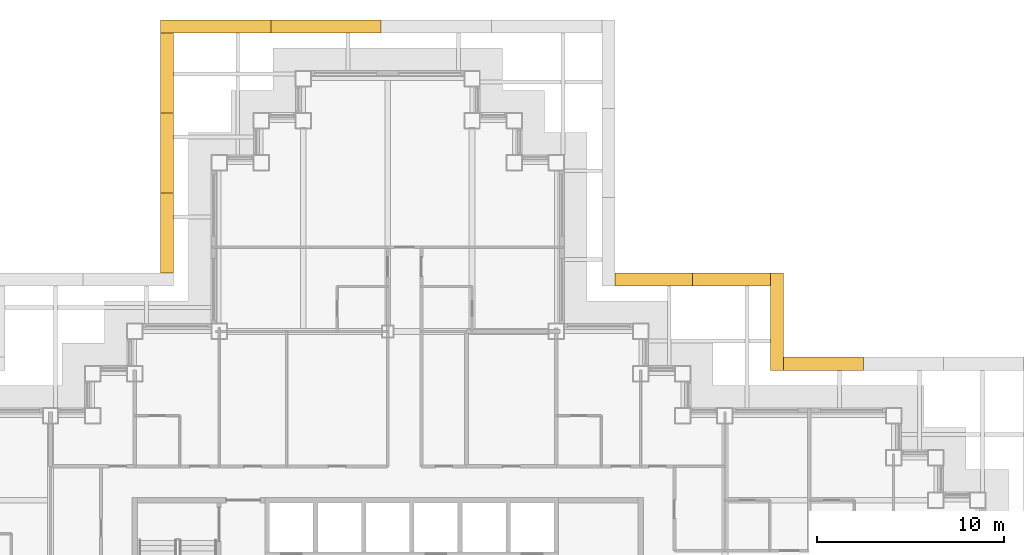
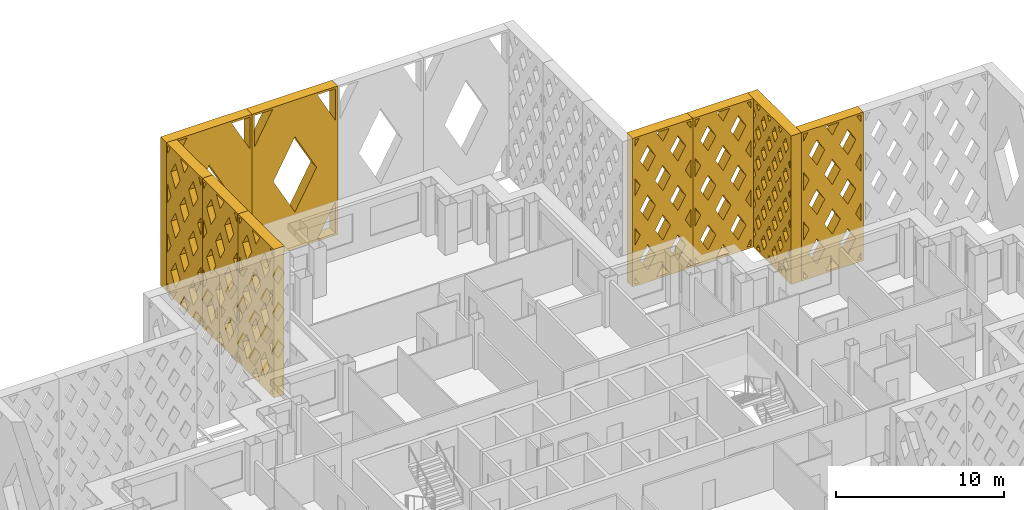
# One storey, part 20 of 21: 9 shading devices.
"""IFC4 building model written with IfcOpenShell, lengths in metres."""

from ifc_helpers import new_model, si_unit, direction, frame, origin, place, context, subcontext, project, spatial, polyline, outline, extrude, material, type_object, element, save


model = new_model("IFC4")

# Units and contexts
model_context = context("Model", 3, precision=1e-05, world=origin(), true_north=direction((0.0, 1.0)))
body_context = subcontext(model_context, "Body", "Model", "MODEL_VIEW")
ifc_project = project(units=[si_unit("LENGTHUNIT", "METRE"), si_unit("AREAUNIT", "SQUARE_METRE"), si_unit("VOLUMEUNIT", "CUBIC_METRE"), si_unit("PLANEANGLEUNIT", "RADIAN"), si_unit("MASSUNIT", "GRAM", prefix="KILO")], contexts=[model_context])

# Site, building, storey
site_placement = place(None, origin())
site = spatial("IfcSite", under=ifc_project, at=site_placement, CompositionType="ELEMENT")
building_placement = place(site_placement, origin())
building = spatial("IfcBuilding", under=site, at=building_placement, Name="Caravel Reach Hotel and Residences", CompositionType="ELEMENT")
storey_placement = place(building_placement, frame((0.0, 0.0, 129.60009765625)))
storey = spatial("IfcBuildingStorey", under=building, at=storey_placement, Name="L32", CompositionType="ELEMENT", Elevation=129.60009765625)

# Shading devices
ifc_material_1 = material(Name="Black powder-coated aluminium", Category="aluminium")
shading_device_type_1 = type_object("IfcShadingDeviceType", Name="Diamond lattice screen panel 4150 x 10800", PredefinedType="USERDEFINED", material=ifc_material_1)
shading_device_1_placement = place(storey_placement, frame((51.925048828125, 42.925048828125, 0.0), z_axis=(0.0, 1.0, 0.0), x_axis=(-1.0, 0.0, 0.0)))
element("IfcShadingDevice", 1, at=shading_device_1_placement, inside=storey, type_object=shading_device_type_1, Name="Lattice screen L32-L34 10.1", ObjectType="SCREEN", PredefinedType="USERDEFINED", context=body_context, shape_type="SweptSolid", body=[
    extrude(outline(polyline([(0.0, 0.0), (4.14990234375, 0.0), (4.14990234375, 10.800048828125), (0.0, 10.800048828125), (0.0, 0.0)]), holes=[polyline([(0.445556640625, 0.14990234375), (0.14990234375, 0.662841796875), (0.14990234375, 0.14990234375), (0.445556640625, 0.14990234375)]), polyline([(0.531982421875, 3.60009765625), (0.14990234375, 4.2626953125), (0.14990234375, 2.937255859375), (0.531982421875, 3.60009765625)]), polyline([(0.531982421875, 7.199951171875), (0.14990234375, 7.86279296875), (0.14990234375, 6.537353515625), (0.531982421875, 7.199951171875)]), polyline([(0.14990234375, 10.13720703125), (0.445556640625, 10.64990234375), (0.14990234375, 10.64990234375), (0.14990234375, 10.13720703125)]), polyline([(1.03759765625, 2.722900390625), (0.505615234375, 1.800048828125), (1.03759765625, 0.876953125), (1.569580078125, 1.800048828125), (1.03759765625, 2.722900390625)]), polyline([(1.03759765625, 6.322998046875), (0.505615234375, 5.39990234375), (1.03759765625, 4.47705078125), (1.569580078125, 5.39990234375), (1.03759765625, 6.322998046875)]), polyline([(1.03759765625, 9.9228515625), (0.505615234375, 9.0), (1.03759765625, 8.0771484375), (1.569580078125, 9.0), (1.03759765625, 9.9228515625)]), polyline([(2.074951171875, 0.9228515625), (1.62939453125, 0.14990234375), (2.5205078125, 0.14990234375), (2.074951171875, 0.9228515625)]), polyline([(2.074951171875, 4.52294921875), (1.54296875, 3.60009765625), (2.074951171875, 2.677001953125), (2.60693359375, 3.60009765625), (2.074951171875, 4.52294921875)]), polyline([(2.074951171875, 8.123046875), (1.54296875, 7.199951171875), (2.074951171875, 6.277099609375), (2.60693359375, 7.199951171875), (2.074951171875, 8.123046875)]), polyline([(2.074951171875, 9.876953125), (2.5205078125, 10.64990234375), (1.62939453125, 10.64990234375), (2.074951171875, 9.876953125)]), polyline([(3.112548828125, 2.722900390625), (2.58056640625, 1.800048828125), (3.112548828125, 0.876953125), (3.64453125, 1.800048828125), (3.112548828125, 2.722900390625)]), polyline([(3.112548828125, 6.322998046875), (2.58056640625, 5.39990234375), (3.112548828125, 4.47705078125), (3.64453125, 5.39990234375), (3.112548828125, 6.322998046875)]), polyline([(3.112548828125, 9.9228515625), (2.58056640625, 9.0), (3.112548828125, 8.0771484375), (3.64453125, 9.0), (3.112548828125, 9.9228515625)]), polyline([(4.0, 0.662841796875), (3.70458984375, 0.14990234375), (4.0, 0.14990234375), (4.0, 0.662841796875)]), polyline([(3.617919921875, 3.60009765625), (4.0, 2.937255859375), (4.0, 4.2626953125), (3.617919921875, 3.60009765625)]), polyline([(3.617919921875, 7.199951171875), (4.0, 6.537353515625), (4.0, 7.86279296875), (3.617919921875, 7.199951171875)]), polyline([(3.70458984375, 10.64990234375), (4.0, 10.13720703125), (4.0, 10.64990234375), (3.70458984375, 10.64990234375)])]), origin(), (0.0, 0.0, 1.0), 0.699951171875),
])
shading_device_2_placement = place(storey_placement, frame((47.77490234375, 42.925048828125, 0.0), z_axis=(0.0, 1.0, 0.0), x_axis=(-1.0, 0.0, 0.0)))
element("IfcShadingDevice", 2, at=shading_device_2_placement, inside=storey, type_object=shading_device_type_1, Name="Lattice screen L32-L34 10.2", ObjectType="SCREEN", PredefinedType="USERDEFINED", context=body_context, shape_type="SweptSolid", body=[
    extrude(outline(polyline([(0.0, 0.0), (4.14990234375, 0.0), (4.14990234375, 10.800048828125), (0.0, 10.800048828125), (0.0, 0.0)]), holes=[polyline([(0.445556640625, 0.14990234375), (0.14990234375, 0.662841796875), (0.14990234375, 0.14990234375), (0.445556640625, 0.14990234375)]), polyline([(0.531982421875, 3.60009765625), (0.14990234375, 4.2626953125), (0.14990234375, 2.937255859375), (0.531982421875, 3.60009765625)]), polyline([(0.531982421875, 7.199951171875), (0.14990234375, 7.86279296875), (0.14990234375, 6.537353515625), (0.531982421875, 7.199951171875)]), polyline([(0.14990234375, 10.13720703125), (0.445556640625, 10.64990234375), (0.14990234375, 10.64990234375), (0.14990234375, 10.13720703125)]), polyline([(1.03759765625, 2.722900390625), (0.505615234375, 1.800048828125), (1.03759765625, 0.876953125), (1.569580078125, 1.800048828125), (1.03759765625, 2.722900390625)]), polyline([(1.03759765625, 6.322998046875), (0.505615234375, 5.39990234375), (1.03759765625, 4.47705078125), (1.569580078125, 5.39990234375), (1.03759765625, 6.322998046875)]), polyline([(1.03759765625, 9.9228515625), (0.505615234375, 9.0), (1.03759765625, 8.0771484375), (1.569580078125, 9.0), (1.03759765625, 9.9228515625)]), polyline([(2.074951171875, 0.9228515625), (1.62939453125, 0.14990234375), (2.5205078125, 0.14990234375), (2.074951171875, 0.9228515625)]), polyline([(2.074951171875, 4.52294921875), (1.54296875, 3.60009765625), (2.074951171875, 2.677001953125), (2.60693359375, 3.60009765625), (2.074951171875, 4.52294921875)]), polyline([(2.074951171875, 8.123046875), (1.54296875, 7.199951171875), (2.074951171875, 6.277099609375), (2.60693359375, 7.199951171875), (2.074951171875, 8.123046875)]), polyline([(2.074951171875, 9.876953125), (2.5205078125, 10.64990234375), (1.62939453125, 10.64990234375), (2.074951171875, 9.876953125)]), polyline([(3.112548828125, 2.722900390625), (2.58056640625, 1.800048828125), (3.112548828125, 0.876953125), (3.64453125, 1.800048828125), (3.112548828125, 2.722900390625)]), polyline([(3.112548828125, 6.322998046875), (2.58056640625, 5.39990234375), (3.112548828125, 4.47705078125), (3.64453125, 5.39990234375), (3.112548828125, 6.322998046875)]), polyline([(3.112548828125, 9.9228515625), (2.58056640625, 9.0), (3.112548828125, 8.0771484375), (3.64453125, 9.0), (3.112548828125, 9.9228515625)]), polyline([(4.0, 0.662841796875), (3.70458984375, 0.14990234375), (4.0, 0.14990234375), (4.0, 0.662841796875)]), polyline([(3.617919921875, 3.60009765625), (4.0, 2.937255859375), (4.0, 4.2626953125), (3.617919921875, 3.60009765625)]), polyline([(3.617919921875, 7.199951171875), (4.0, 6.537353515625), (4.0, 7.86279296875), (3.617919921875, 7.199951171875)]), polyline([(3.70458984375, 10.64990234375), (4.0, 10.13720703125), (4.0, 10.64990234375), (3.70458984375, 10.64990234375)])]), origin(), (0.0, 0.0, 1.0), 0.699951171875),
])
ifc_material_2 = material(Name="Black powder-coated aluminium", Category="aluminium")
shading_device_type_2 = type_object("IfcShadingDeviceType", Name="Diamond lattice screen panel 4267 x 10800", PredefinedType="USERDEFINED", material=ifc_material_2)
shading_device_3_placement = place(storey_placement, frame((56.8916015625, 38.425048828125, 0.0), z_axis=(0.0, 1.0, 0.0), x_axis=(-1.0, 0.0, 0.0)))
element("IfcShadingDevice", 3, at=shading_device_3_placement, inside=storey, type_object=shading_device_type_2, Name="Lattice screen L32-L34 8.3", ObjectType="SCREEN", PredefinedType="USERDEFINED", context=body_context, shape_type="SweptSolid", body=[
    extrude(outline(polyline([(0.0, 0.0), (4.2666015625, 0.0), (4.2666015625, 10.800048828125), (0.0, 10.800048828125), (0.0, 0.0)]), holes=[polyline([(0.457275390625, 0.14990234375), (0.14990234375, 0.66845703125), (0.14990234375, 0.14990234375), (0.457275390625, 0.14990234375)]), polyline([(0.546142578125, 3.60009765625), (0.14990234375, 4.2685546875), (0.14990234375, 2.931396484375), (0.546142578125, 3.60009765625)]), polyline([(0.546142578125, 7.199951171875), (0.14990234375, 7.868408203125), (0.14990234375, 6.531494140625), (0.546142578125, 7.199951171875)]), polyline([(0.14990234375, 10.131591796875), (0.457275390625, 10.64990234375), (0.14990234375, 10.64990234375), (0.14990234375, 10.131591796875)]), polyline([(1.066650390625, 2.7216796875), (0.5205078125, 1.800048828125), (1.066650390625, 0.87841796875), (1.61279296875, 1.800048828125), (1.066650390625, 2.7216796875)]), polyline([(1.066650390625, 6.321533203125), (0.5205078125, 5.39990234375), (1.066650390625, 4.478271484375), (1.61279296875, 5.39990234375), (1.066650390625, 6.321533203125)]), polyline([(1.066650390625, 9.921630859375), (0.5205078125, 9.0), (1.066650390625, 8.078369140625), (1.61279296875, 9.0), (1.066650390625, 9.921630859375)]), polyline([(2.13330078125, 0.921630859375), (1.676025390625, 0.14990234375), (2.590576171875, 0.14990234375), (2.13330078125, 0.921630859375)]), polyline([(2.13330078125, 4.521728515625), (1.587158203125, 3.60009765625), (2.13330078125, 2.678466796875), (2.679443359375, 3.60009765625), (2.13330078125, 4.521728515625)]), polyline([(2.13330078125, 8.12158203125), (1.587158203125, 7.199951171875), (2.13330078125, 6.2783203125), (2.679443359375, 7.199951171875), (2.13330078125, 8.12158203125)]), polyline([(2.13330078125, 9.87841796875), (2.590576171875, 10.64990234375), (1.676025390625, 10.64990234375), (2.13330078125, 9.87841796875)]), polyline([(3.199951171875, 2.7216796875), (2.65380859375, 1.800048828125), (3.199951171875, 0.87841796875), (3.74609375, 1.800048828125), (3.199951171875, 2.7216796875)]), polyline([(3.199951171875, 6.321533203125), (2.65380859375, 5.39990234375), (3.199951171875, 4.478271484375), (3.74609375, 5.39990234375), (3.199951171875, 6.321533203125)]), polyline([(3.199951171875, 9.921630859375), (2.65380859375, 9.0), (3.199951171875, 8.078369140625), (3.74609375, 9.0), (3.199951171875, 9.921630859375)]), polyline([(4.11669921875, 0.66845703125), (3.809326171875, 0.14990234375), (4.11669921875, 0.14990234375), (4.11669921875, 0.66845703125)]), polyline([(3.720458984375, 3.60009765625), (4.11669921875, 2.931396484375), (4.11669921875, 4.2685546875), (3.720458984375, 3.60009765625)]), polyline([(3.720458984375, 7.199951171875), (4.11669921875, 6.531494140625), (4.11669921875, 7.868408203125), (3.720458984375, 7.199951171875)]), polyline([(3.809326171875, 10.64990234375), (4.11669921875, 10.131591796875), (4.11669921875, 10.64990234375), (3.809326171875, 10.64990234375)])]), origin(), (0.0, 0.0, 1.0), 0.699951171875),
])
shading_device_4_placement = place(storey_placement, frame((20.074951171875, 56.425048828125, 0.0), z_axis=(-1.0, 0.0, 0.0), x_axis=(0.0, -1.0, 0.0)))
element("IfcShadingDevice", 4, at=shading_device_4_placement, inside=storey, type_object=shading_device_type_2, Name="Lattice screen L32-L34 13.1", ObjectType="SCREEN", PredefinedType="USERDEFINED", context=body_context, shape_type="SweptSolid", body=[
    extrude(outline(polyline([(0.0, 0.0), (4.2666015625, 0.0), (4.2666015625, 10.800048828125), (0.0, 10.800048828125), (0.0, 0.0)]), holes=[polyline([(0.457275390625, 0.14990234375), (0.14990234375, 0.66845703125), (0.14990234375, 0.14990234375), (0.457275390625, 0.14990234375)]), polyline([(0.546142578125, 3.60009765625), (0.14990234375, 4.2685546875), (0.14990234375, 2.931396484375), (0.546142578125, 3.60009765625)]), polyline([(0.546142578125, 7.199951171875), (0.14990234375, 7.868408203125), (0.14990234375, 6.531494140625), (0.546142578125, 7.199951171875)]), polyline([(0.14990234375, 10.131591796875), (0.457275390625, 10.64990234375), (0.14990234375, 10.64990234375), (0.14990234375, 10.131591796875)]), polyline([(1.066650390625, 2.7216796875), (0.5205078125, 1.800048828125), (1.066650390625, 0.87841796875), (1.61279296875, 1.800048828125), (1.066650390625, 2.7216796875)]), polyline([(1.066650390625, 6.321533203125), (0.5205078125, 5.39990234375), (1.066650390625, 4.478271484375), (1.61279296875, 5.39990234375), (1.066650390625, 6.321533203125)]), polyline([(1.066650390625, 9.921630859375), (0.5205078125, 9.0), (1.066650390625, 8.078369140625), (1.61279296875, 9.0), (1.066650390625, 9.921630859375)]), polyline([(2.13330078125, 0.921630859375), (1.676025390625, 0.14990234375), (2.590576171875, 0.14990234375), (2.13330078125, 0.921630859375)]), polyline([(2.13330078125, 4.521728515625), (1.587158203125, 3.60009765625), (2.13330078125, 2.678466796875), (2.679443359375, 3.60009765625), (2.13330078125, 4.521728515625)]), polyline([(2.13330078125, 8.12158203125), (1.587158203125, 7.199951171875), (2.13330078125, 6.2783203125), (2.679443359375, 7.199951171875), (2.13330078125, 8.12158203125)]), polyline([(2.13330078125, 9.87841796875), (2.590576171875, 10.64990234375), (1.676025390625, 10.64990234375), (2.13330078125, 9.87841796875)]), polyline([(3.199951171875, 2.7216796875), (2.65380859375, 1.800048828125), (3.199951171875, 0.87841796875), (3.74609375, 1.800048828125), (3.199951171875, 2.7216796875)]), polyline([(3.199951171875, 6.321533203125), (2.65380859375, 5.39990234375), (3.199951171875, 4.478271484375), (3.74609375, 5.39990234375), (3.199951171875, 6.321533203125)]), polyline([(3.199951171875, 9.921630859375), (2.65380859375, 9.0), (3.199951171875, 8.078369140625), (3.74609375, 9.0), (3.199951171875, 9.921630859375)]), polyline([(4.11669921875, 0.66845703125), (3.809326171875, 0.14990234375), (4.11669921875, 0.14990234375), (4.11669921875, 0.66845703125)]), polyline([(3.720458984375, 3.60009765625), (4.11669921875, 2.931396484375), (4.11669921875, 4.2685546875), (3.720458984375, 3.60009765625)]), polyline([(3.720458984375, 7.199951171875), (4.11669921875, 6.531494140625), (4.11669921875, 7.868408203125), (3.720458984375, 7.199951171875)]), polyline([(3.809326171875, 10.64990234375), (4.11669921875, 10.131591796875), (4.11669921875, 10.64990234375), (3.809326171875, 10.64990234375)])]), origin(), (0.0, 0.0, 1.0), 0.699951171875),
])
shading_device_5_placement = place(storey_placement, frame((20.074951171875, 52.158447265625, 0.0), z_axis=(-1.0, 0.0, 0.0), x_axis=(0.0, -1.0, 0.0)))
element("IfcShadingDevice", 5, at=shading_device_5_placement, inside=storey, type_object=shading_device_type_2, Name="Lattice screen L32-L34 13.2", ObjectType="SCREEN", PredefinedType="USERDEFINED", context=body_context, shape_type="SweptSolid", body=[
    extrude(outline(polyline([(0.0, 0.0), (4.2666015625, 0.0), (4.2666015625, 10.800048828125), (0.0, 10.800048828125), (0.0, 0.0)]), holes=[polyline([(0.457275390625, 0.14990234375), (0.14990234375, 0.66845703125), (0.14990234375, 0.14990234375), (0.457275390625, 0.14990234375)]), polyline([(0.546142578125, 3.60009765625), (0.14990234375, 4.2685546875), (0.14990234375, 2.931396484375), (0.546142578125, 3.60009765625)]), polyline([(0.546142578125, 7.199951171875), (0.14990234375, 7.868408203125), (0.14990234375, 6.531494140625), (0.546142578125, 7.199951171875)]), polyline([(0.14990234375, 10.131591796875), (0.457275390625, 10.64990234375), (0.14990234375, 10.64990234375), (0.14990234375, 10.131591796875)]), polyline([(1.066650390625, 2.7216796875), (0.5205078125, 1.800048828125), (1.066650390625, 0.87841796875), (1.61279296875, 1.800048828125), (1.066650390625, 2.7216796875)]), polyline([(1.066650390625, 6.321533203125), (0.5205078125, 5.39990234375), (1.066650390625, 4.478271484375), (1.61279296875, 5.39990234375), (1.066650390625, 6.321533203125)]), polyline([(1.066650390625, 9.921630859375), (0.5205078125, 9.0), (1.066650390625, 8.078369140625), (1.61279296875, 9.0), (1.066650390625, 9.921630859375)]), polyline([(2.13330078125, 0.921630859375), (1.676025390625, 0.14990234375), (2.590576171875, 0.14990234375), (2.13330078125, 0.921630859375)]), polyline([(2.13330078125, 4.521728515625), (1.587158203125, 3.60009765625), (2.13330078125, 2.678466796875), (2.679443359375, 3.60009765625), (2.13330078125, 4.521728515625)]), polyline([(2.13330078125, 8.12158203125), (1.587158203125, 7.199951171875), (2.13330078125, 6.2783203125), (2.679443359375, 7.199951171875), (2.13330078125, 8.12158203125)]), polyline([(2.13330078125, 9.87841796875), (2.590576171875, 10.64990234375), (1.676025390625, 10.64990234375), (2.13330078125, 9.87841796875)]), polyline([(3.199951171875, 2.7216796875), (2.65380859375, 1.800048828125), (3.199951171875, 0.87841796875), (3.74609375, 1.800048828125), (3.199951171875, 2.7216796875)]), polyline([(3.199951171875, 6.321533203125), (2.65380859375, 5.39990234375), (3.199951171875, 4.478271484375), (3.74609375, 5.39990234375), (3.199951171875, 6.321533203125)]), polyline([(3.199951171875, 9.921630859375), (2.65380859375, 9.0), (3.199951171875, 8.078369140625), (3.74609375, 9.0), (3.199951171875, 9.921630859375)]), polyline([(4.11669921875, 0.66845703125), (3.809326171875, 0.14990234375), (4.11669921875, 0.14990234375), (4.11669921875, 0.66845703125)]), polyline([(3.720458984375, 3.60009765625), (4.11669921875, 2.931396484375), (4.11669921875, 4.2685546875), (3.720458984375, 3.60009765625)]), polyline([(3.720458984375, 7.199951171875), (4.11669921875, 6.531494140625), (4.11669921875, 7.868408203125), (3.720458984375, 7.199951171875)]), polyline([(3.809326171875, 10.64990234375), (4.11669921875, 10.131591796875), (4.11669921875, 10.64990234375), (3.809326171875, 10.64990234375)])]), origin(), (0.0, 0.0, 1.0), 0.699951171875),
])
shading_device_6_placement = place(storey_placement, frame((20.074951171875, 47.8916015625, 0.0), z_axis=(-1.0, 0.0, 0.0), x_axis=(0.0, -1.0, 0.0)))
element("IfcShadingDevice", 6, at=shading_device_6_placement, inside=storey, type_object=shading_device_type_2, Name="Lattice screen L32-L34 13.3", ObjectType="SCREEN", PredefinedType="USERDEFINED", context=body_context, shape_type="SweptSolid", body=[
    extrude(outline(polyline([(0.0, 0.0), (4.2666015625, 0.0), (4.2666015625, 10.800048828125), (0.0, 10.800048828125), (0.0, 0.0)]), holes=[polyline([(0.457275390625, 0.14990234375), (0.14990234375, 0.66845703125), (0.14990234375, 0.14990234375), (0.457275390625, 0.14990234375)]), polyline([(0.546142578125, 3.60009765625), (0.14990234375, 4.2685546875), (0.14990234375, 2.931396484375), (0.546142578125, 3.60009765625)]), polyline([(0.546142578125, 7.199951171875), (0.14990234375, 7.868408203125), (0.14990234375, 6.531494140625), (0.546142578125, 7.199951171875)]), polyline([(0.14990234375, 10.131591796875), (0.457275390625, 10.64990234375), (0.14990234375, 10.64990234375), (0.14990234375, 10.131591796875)]), polyline([(1.066650390625, 2.7216796875), (0.5205078125, 1.800048828125), (1.066650390625, 0.87841796875), (1.61279296875, 1.800048828125), (1.066650390625, 2.7216796875)]), polyline([(1.066650390625, 6.321533203125), (0.5205078125, 5.39990234375), (1.066650390625, 4.478271484375), (1.61279296875, 5.39990234375), (1.066650390625, 6.321533203125)]), polyline([(1.066650390625, 9.921630859375), (0.5205078125, 9.0), (1.066650390625, 8.078369140625), (1.61279296875, 9.0), (1.066650390625, 9.921630859375)]), polyline([(2.13330078125, 0.921630859375), (1.676025390625, 0.14990234375), (2.590576171875, 0.14990234375), (2.13330078125, 0.921630859375)]), polyline([(2.13330078125, 4.521728515625), (1.587158203125, 3.60009765625), (2.13330078125, 2.678466796875), (2.679443359375, 3.60009765625), (2.13330078125, 4.521728515625)]), polyline([(2.13330078125, 8.12158203125), (1.587158203125, 7.199951171875), (2.13330078125, 6.2783203125), (2.679443359375, 7.199951171875), (2.13330078125, 8.12158203125)]), polyline([(2.13330078125, 9.87841796875), (2.590576171875, 10.64990234375), (1.676025390625, 10.64990234375), (2.13330078125, 9.87841796875)]), polyline([(3.199951171875, 2.7216796875), (2.65380859375, 1.800048828125), (3.199951171875, 0.87841796875), (3.74609375, 1.800048828125), (3.199951171875, 2.7216796875)]), polyline([(3.199951171875, 6.321533203125), (2.65380859375, 5.39990234375), (3.199951171875, 4.478271484375), (3.74609375, 5.39990234375), (3.199951171875, 6.321533203125)]), polyline([(3.199951171875, 9.921630859375), (2.65380859375, 9.0), (3.199951171875, 8.078369140625), (3.74609375, 9.0), (3.199951171875, 9.921630859375)]), polyline([(4.11669921875, 0.66845703125), (3.809326171875, 0.14990234375), (4.11669921875, 0.14990234375), (4.11669921875, 0.66845703125)]), polyline([(3.720458984375, 3.60009765625), (4.11669921875, 2.931396484375), (4.11669921875, 4.2685546875), (3.720458984375, 3.60009765625)]), polyline([(3.720458984375, 7.199951171875), (4.11669921875, 6.531494140625), (4.11669921875, 7.868408203125), (3.720458984375, 7.199951171875)]), polyline([(3.809326171875, 10.64990234375), (4.11669921875, 10.131591796875), (4.11669921875, 10.64990234375), (3.809326171875, 10.64990234375)])]), origin(), (0.0, 0.0, 1.0), 0.699951171875),
])
ifc_material_3 = material(Name="Black powder-coated aluminium", Category="aluminium")
shading_device_type_3 = type_object("IfcShadingDeviceType", Name="Diamond lattice screen panel 5200 x 10800", PredefinedType="USERDEFINED", material=ifc_material_3)
shading_device_7_placement = place(storey_placement, frame((51.925048828125, 38.425048828125, 0.0), z_axis=(1.0, 0.0, 0.0), x_axis=(0.0, 1.0, 0.0)))
element("IfcShadingDevice", 7, at=shading_device_7_placement, inside=storey, type_object=shading_device_type_3, Name="Lattice screen L32-L34 9.1", ObjectType="SCREEN", PredefinedType="USERDEFINED", context=body_context, shape_type="SweptSolid", body=[
    extrude(outline(polyline([(0.0, 0.0), (5.199951171875, 0.0), (5.199951171875, 10.800048828125), (0.0, 10.800048828125), (0.0, 0.0)]), holes=[polyline([(0.3271484375, 2.159912109375), (0.14990234375, 2.454345703125), (0.14990234375, 1.86572265625), (0.3271484375, 2.159912109375)]), polyline([(0.3271484375, 4.320068359375), (0.14990234375, 4.6142578125), (0.14990234375, 4.025634765625), (0.3271484375, 4.320068359375)]), polyline([(0.3271484375, 6.47998046875), (0.14990234375, 6.774169921875), (0.14990234375, 6.185791015625), (0.3271484375, 6.47998046875)]), polyline([(0.3271484375, 8.639892578125), (0.14990234375, 8.934326171875), (0.14990234375, 8.345703125), (0.3271484375, 8.639892578125)]), polyline([(0.64990234375, 1.62353515625), (0.322998046875, 1.080078125), (0.64990234375, 0.536376953125), (0.97705078125, 1.080078125), (0.64990234375, 1.62353515625)]), polyline([(0.64990234375, 3.783447265625), (0.322998046875, 3.239990234375), (0.64990234375, 2.696533203125), (0.97705078125, 3.239990234375), (0.64990234375, 3.783447265625)]), polyline([(0.64990234375, 5.943603515625), (0.322998046875, 5.39990234375), (0.64990234375, 4.8564453125), (0.97705078125, 5.39990234375), (0.64990234375, 5.943603515625)]), polyline([(0.64990234375, 8.103515625), (0.322998046875, 7.56005859375), (0.64990234375, 7.016357421875), (0.97705078125, 7.56005859375), (0.64990234375, 8.103515625)]), polyline([(0.64990234375, 10.263427734375), (0.322998046875, 9.719970703125), (0.64990234375, 9.176513671875), (0.97705078125, 9.719970703125), (0.64990234375, 10.263427734375)]), polyline([(1.300048828125, 0.54345703125), (1.063232421875, 0.14990234375), (1.536865234375, 0.14990234375), (1.300048828125, 0.54345703125)]), polyline([(1.300048828125, 2.70361328125), (0.972900390625, 2.159912109375), (1.300048828125, 1.616455078125), (1.627197265625, 2.159912109375), (1.300048828125, 2.70361328125)]), polyline([(1.300048828125, 4.863525390625), (0.972900390625, 4.320068359375), (1.300048828125, 3.7763671875), (1.627197265625, 4.320068359375), (1.300048828125, 4.863525390625)]), polyline([(1.300048828125, 7.0234375), (0.972900390625, 6.47998046875), (1.300048828125, 5.9365234375), (1.627197265625, 6.47998046875), (1.300048828125, 7.0234375)]), polyline([(1.300048828125, 9.18359375), (0.972900390625, 8.639892578125), (1.300048828125, 8.096435546875), (1.627197265625, 8.639892578125), (1.300048828125, 9.18359375)]), polyline([(1.300048828125, 10.256591796875), (1.536865234375, 10.64990234375), (1.063232421875, 10.64990234375), (1.300048828125, 10.256591796875)]), polyline([(1.949951171875, 1.62353515625), (1.622802734375, 1.080078125), (1.949951171875, 0.536376953125), (2.277099609375, 1.080078125), (1.949951171875, 1.62353515625)]), polyline([(1.949951171875, 3.783447265625), (1.622802734375, 3.239990234375), (1.949951171875, 2.696533203125), (2.277099609375, 3.239990234375), (1.949951171875, 3.783447265625)]), polyline([(1.949951171875, 5.943603515625), (1.622802734375, 5.39990234375), (1.949951171875, 4.8564453125), (2.277099609375, 5.39990234375), (1.949951171875, 5.943603515625)]), polyline([(1.949951171875, 8.103515625), (1.622802734375, 7.56005859375), (1.949951171875, 7.016357421875), (2.277099609375, 7.56005859375), (1.949951171875, 8.103515625)]), polyline([(1.949951171875, 10.263427734375), (1.622802734375, 9.719970703125), (1.949951171875, 9.176513671875), (2.277099609375, 9.719970703125), (1.949951171875, 10.263427734375)]), polyline([(2.60009765625, 0.54345703125), (2.363037109375, 0.14990234375), (2.8369140625, 0.14990234375), (2.60009765625, 0.54345703125)]), polyline([(2.60009765625, 2.70361328125), (2.27294921875, 2.159912109375), (2.60009765625, 1.616455078125), (2.927001953125, 2.159912109375), (2.60009765625, 2.70361328125)]), polyline([(2.60009765625, 4.863525390625), (2.27294921875, 4.320068359375), (2.60009765625, 3.7763671875), (2.927001953125, 4.320068359375), (2.60009765625, 4.863525390625)]), polyline([(2.60009765625, 7.0234375), (2.27294921875, 6.47998046875), (2.60009765625, 5.9365234375), (2.927001953125, 6.47998046875), (2.60009765625, 7.0234375)]), polyline([(2.60009765625, 9.18359375), (2.27294921875, 8.639892578125), (2.60009765625, 8.096435546875), (2.927001953125, 8.639892578125), (2.60009765625, 9.18359375)]), polyline([(2.60009765625, 10.256591796875), (2.8369140625, 10.64990234375), (2.363037109375, 10.64990234375), (2.60009765625, 10.256591796875)]), polyline([(3.25, 1.62353515625), (2.9228515625, 1.080078125), (3.25, 0.536376953125), (3.5771484375, 1.080078125), (3.25, 1.62353515625)]), polyline([(3.25, 3.783447265625), (2.9228515625, 3.239990234375), (3.25, 2.696533203125), (3.5771484375, 3.239990234375), (3.25, 3.783447265625)]), polyline([(3.25, 5.943603515625), (2.9228515625, 5.39990234375), (3.25, 4.8564453125), (3.5771484375, 5.39990234375), (3.25, 5.943603515625)]), polyline([(3.25, 8.103515625), (2.9228515625, 7.56005859375), (3.25, 7.016357421875), (3.5771484375, 7.56005859375), (3.25, 8.103515625)]), polyline([(3.25, 10.263427734375), (2.9228515625, 9.719970703125), (3.25, 9.176513671875), (3.5771484375, 9.719970703125), (3.25, 10.263427734375)]), polyline([(3.89990234375, 0.54345703125), (3.6630859375, 0.14990234375), (4.136962890625, 0.14990234375), (3.89990234375, 0.54345703125)]), polyline([(3.89990234375, 2.70361328125), (3.572998046875, 2.159912109375), (3.89990234375, 1.616455078125), (4.22705078125, 2.159912109375), (3.89990234375, 2.70361328125)]), polyline([(3.89990234375, 4.863525390625), (3.572998046875, 4.320068359375), (3.89990234375, 3.7763671875), (4.22705078125, 4.320068359375), (3.89990234375, 4.863525390625)]), polyline([(3.89990234375, 7.0234375), (3.572998046875, 6.47998046875), (3.89990234375, 5.9365234375), (4.22705078125, 6.47998046875), (3.89990234375, 7.0234375)]), polyline([(3.89990234375, 9.18359375), (3.572998046875, 8.639892578125), (3.89990234375, 8.096435546875), (4.22705078125, 8.639892578125), (3.89990234375, 9.18359375)]), polyline([(3.89990234375, 10.256591796875), (4.136962890625, 10.64990234375), (3.6630859375, 10.64990234375), (3.89990234375, 10.256591796875)]), polyline([(4.550048828125, 1.62353515625), (4.222900390625, 1.080078125), (4.550048828125, 0.536376953125), (4.877197265625, 1.080078125), (4.550048828125, 1.62353515625)]), polyline([(4.550048828125, 3.783447265625), (4.222900390625, 3.239990234375), (4.550048828125, 2.696533203125), (4.877197265625, 3.239990234375), (4.550048828125, 3.783447265625)]), polyline([(4.550048828125, 5.943603515625), (4.222900390625, 5.39990234375), (4.550048828125, 4.8564453125), (4.877197265625, 5.39990234375), (4.550048828125, 5.943603515625)]), polyline([(4.550048828125, 8.103515625), (4.222900390625, 7.56005859375), (4.550048828125, 7.016357421875), (4.877197265625, 7.56005859375), (4.550048828125, 8.103515625)]), polyline([(4.550048828125, 10.263427734375), (4.222900390625, 9.719970703125), (4.550048828125, 9.176513671875), (4.877197265625, 9.719970703125), (4.550048828125, 10.263427734375)]), polyline([(4.872802734375, 2.159912109375), (5.050048828125, 1.86572265625), (5.050048828125, 2.454345703125), (4.872802734375, 2.159912109375)]), polyline([(4.872802734375, 4.320068359375), (5.050048828125, 4.025634765625), (5.050048828125, 4.6142578125), (4.872802734375, 4.320068359375)]), polyline([(4.872802734375, 6.47998046875), (5.050048828125, 6.185791015625), (5.050048828125, 6.774169921875), (4.872802734375, 6.47998046875)]), polyline([(4.872802734375, 8.639892578125), (5.050048828125, 8.345703125), (5.050048828125, 8.934326171875), (4.872802734375, 8.639892578125)])]), origin(), (0.0, 0.0, 1.0), 0.699951171875),
])
ifc_material_4 = material(Name="Black powder-coated aluminium", Category="aluminium")
shading_device_type_4 = type_object("IfcShadingDeviceType", Name="Diamond lattice screen panel 5887 x 10800", PredefinedType="USERDEFINED", material=ifc_material_4)
for number, where, z_axis, x_axis, name in (
    (8, (31.14990234375, 56.425048828125, 0.0), (0.0, 1.0, 0.0), (-1.0, 0.0, 0.0), "Lattice screen L32-L34 12.3"),
    (9, (25.262451171875, 56.425048828125, 0.0), (0.0, 1.0, 0.0), (-1.0, 0.0, 0.0), "Lattice screen L32-L34 12.4"),
):
    element("IfcShadingDevice", number, at=place(storey_placement, frame(where, z_axis=z_axis, x_axis=x_axis)), inside=storey, type_object=shading_device_type_4, Name=name, ObjectType="SCREEN", PredefinedType="USERDEFINED", context=body_context, shape_type="SweptSolid", body=[
        extrude(outline(polyline([(0.0, 0.0), (5.887451171875, 0.0), (5.887451171875, 10.800048828125), (0.0, 10.800048828125), (0.0, 0.0)]), holes=[polyline([(1.409912109375, 0.14990234375), (0.14990234375, 2.46142578125), (0.14990234375, 0.14990234375), (1.409912109375, 0.14990234375)]), polyline([(0.14990234375, 8.338623046875), (1.409912109375, 10.64990234375), (0.14990234375, 10.64990234375), (0.14990234375, 8.338623046875)]), polyline([(2.94384765625, 8.136474609375), (1.451904296875, 5.39990234375), (2.94384765625, 2.66357421875), (4.435546875, 5.39990234375), (2.94384765625, 8.136474609375)]), polyline([(5.737548828125, 2.46142578125), (4.4775390625, 0.14990234375), (5.737548828125, 0.14990234375), (5.737548828125, 2.46142578125)]), polyline([(4.4775390625, 10.64990234375), (5.737548828125, 8.338623046875), (5.737548828125, 10.64990234375), (4.4775390625, 10.64990234375)])]), origin(), (0.0, 0.0, 1.0), 0.699951171875),
    ])

save(model, "model.ifc")
